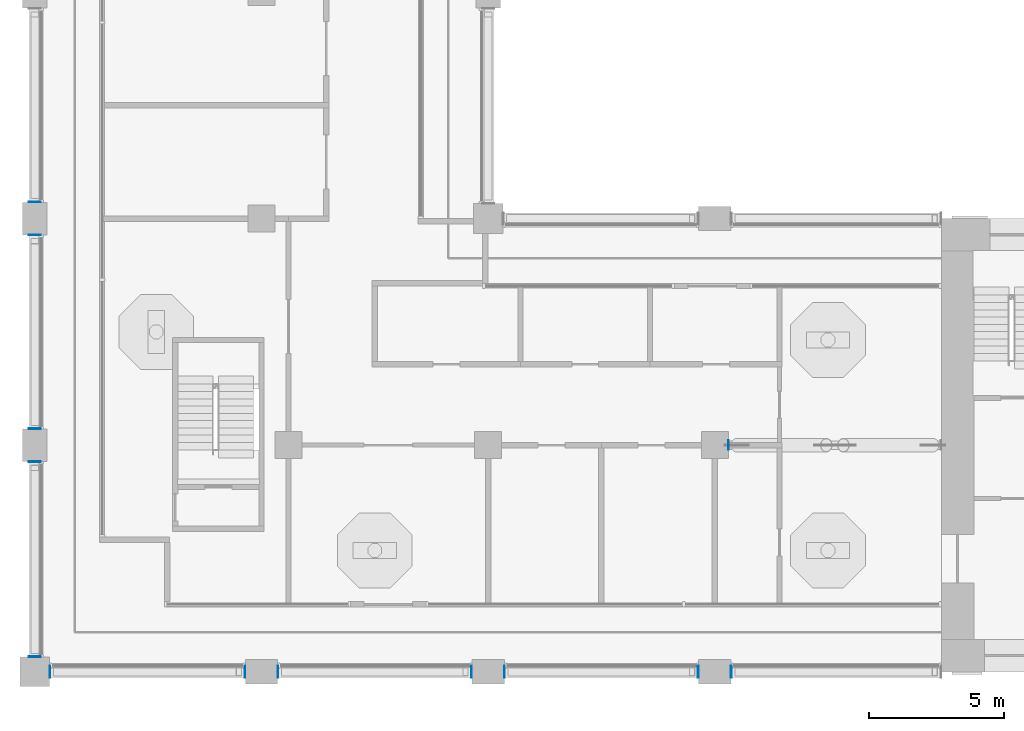
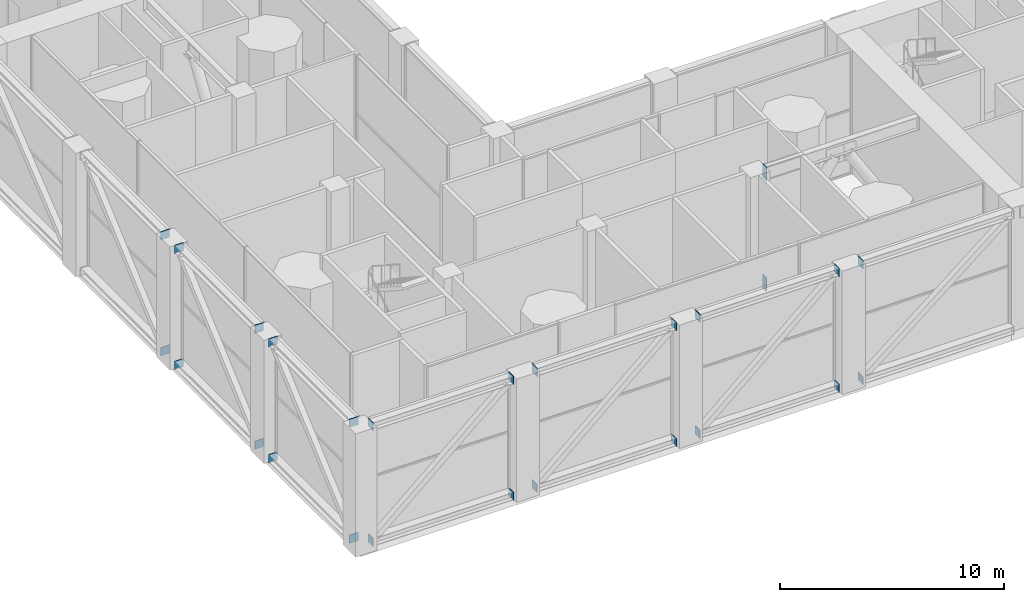
# One storey, part 12 of 20: 26 discrete accessories.
"""IFC4 building model written with IfcOpenShell, lengths in metres."""

from ifc_helpers import new_model, si_unit, direction, frame, origin, origin_2d, place, context, subcontext, project, spatial, rectangle, extrude, element, save


model = new_model("IFC4")

# Units and contexts
model_context = context("Model", 3, precision=1e-05, world=origin(), true_north=direction((0.0, 1.0)))
body_context = subcontext(model_context, "Body", "Model", "MODEL_VIEW")
ifc_project = project(units=[si_unit("LENGTHUNIT", "METRE"), si_unit("AREAUNIT", "SQUARE_METRE"), si_unit("VOLUMEUNIT", "CUBIC_METRE"), si_unit("PLANEANGLEUNIT", "RADIAN"), si_unit("MASSUNIT", "GRAM", prefix="KILO")], contexts=[model_context])

# Site, building, storey
site_placement = place(None, origin())
site = spatial("IfcSite", under=ifc_project, at=site_placement, CompositionType="ELEMENT")
building_placement = place(site_placement, origin())
building = spatial("IfcBuilding", under=site, at=building_placement, Name="Vermilion Gate Residences", CompositionType="ELEMENT")
storey_placement = place(building_placement, frame((0.0, 0.0, 207.199951171875)))
storey = spatial("IfcBuildingStorey", under=building, at=storey_placement, Name="L54", CompositionType="ELEMENT", Elevation=207.199951171875)

# Discrete accessories
for number, where, z_axis, x_axis, name in (
    (1, (8.96240234375, 8.39990234375, -0.02490234375), (0.0, 0.0, 1.0), (1.0, 0.0, 0.0), "End plate B54BELT37B 1"),
    (2, (16.1875, 8.39990234375, -0.02490234375), (0.0, 0.0, 1.0), (1.0, 0.0, 0.0), "End plate B54BELT37B 2"),
    (3, (8.96240234375, 8.39990234375, 6.294921875), (0.0, 0.0, 1.0), (1.0, 0.0, 0.0), "End plate B54BELT37T 1"),
    (4, (16.1875, 8.39990234375, 6.294921875), (0.0, 0.0, 1.0), (1.0, 0.0, 0.0), "End plate B54BELT37T 2"),
):
    element("IfcDiscreteAccessory", number, at=place(storey_placement, frame(where, z_axis=z_axis, x_axis=x_axis)), inside=storey, Name=name, ObjectType="END PLATE", PredefinedType="USERDEFINED", context=body_context, shape_type="SweptSolid", body=[
        extrude(rectangle(XDim=0.02490234375, YDim=0.449951171875, at=origin_2d()), origin(), (0.0, 0.0, 1.0), 0.449951171875),
    ])
for number, where, z_axis, x_axis, name in (
    (5, (8.39990234375, 8.96240234375, -0.02490234375), (0.0, 0.0, 1.0), (1.0, 0.0, 0.0), "End plate B54BELT38B 1"),
    (6, (8.39990234375, 16.1875, -0.02490234375), (0.0, 0.0, 1.0), (1.0, 0.0, 0.0), "End plate B54BELT38B 2"),
    (7, (8.39990234375, 8.96240234375, 6.294921875), (0.0, 0.0, 1.0), (1.0, 0.0, 0.0), "End plate B54BELT38T 1"),
    (8, (8.39990234375, 16.1875, 6.294921875), (0.0, 0.0, 1.0), (1.0, 0.0, 0.0), "End plate B54BELT38T 2"),
    (9, (8.39990234375, 17.41259765625, -0.02490234375), (0.0, 0.0, 1.0), (1.0, 0.0, 0.0), "End plate B54BELT39B 1"),
    (10, (8.39990234375, 24.58740234375, -0.02490234375), (0.0, 0.0, 1.0), (1.0, 0.0, 0.0), "End plate B54BELT39B 2"),
    (11, (8.39990234375, 17.41259765625, 6.294921875), (0.0, 0.0, 1.0), (1.0, 0.0, 0.0), "End plate B54BELT39T 1"),
    (12, (8.39990234375, 24.58740234375, 6.294921875), (0.0, 0.0, 1.0), (1.0, 0.0, 0.0), "End plate B54BELT39T 2"),
    (13, (8.39990234375, 25.8125, -0.02490234375), (0.0, 0.0, 1.0), (1.0, 0.0, 0.0), "End plate B54BELT40B 1"),
    (14, (8.39990234375, 25.8125, 6.294921875), (0.0, 0.0, 1.0), (1.0, 0.0, 0.0), "End plate B54BELT40T 1"),
):
    element("IfcDiscreteAccessory", number, at=place(storey_placement, frame(where, z_axis=z_axis, x_axis=x_axis)), inside=storey, Name=name, ObjectType="END PLATE", PredefinedType="USERDEFINED", context=body_context, shape_type="SweptSolid", body=[
        extrude(rectangle(XDim=0.449951171875, YDim=0.02490234375, at=origin_2d()), origin(), (0.0, 0.0, 1.0), 0.449951171875),
    ])
for number, where, z_axis, x_axis, name in (
    (15, (17.41259765625, 8.39990234375, -0.02490234375), (0.0, 0.0, 1.0), (1.0, 0.0, 0.0), "End plate B54BELT42B 1"),
    (16, (24.58740234375, 8.39990234375, -0.02490234375), (0.0, 0.0, 1.0), (1.0, 0.0, 0.0), "End plate B54BELT42B 2"),
    (17, (17.41259765625, 8.39990234375, 6.294921875), (0.0, 0.0, 1.0), (1.0, 0.0, 0.0), "End plate B54BELT42T 1"),
    (18, (24.58740234375, 8.39990234375, 6.294921875), (0.0, 0.0, 1.0), (1.0, 0.0, 0.0), "End plate B54BELT42T 2"),
    (19, (25.8125, 8.39990234375, -0.02490234375), (0.0, 0.0, 1.0), (1.0, 0.0, 0.0), "End plate B54BELT45B 1"),
    (20, (32.987548828125, 8.39990234375, -0.02490234375), (0.0, 0.0, 1.0), (1.0, 0.0, 0.0), "End plate B54BELT45B 2"),
    (21, (25.8125, 8.39990234375, 6.294921875), (0.0, 0.0, 1.0), (1.0, 0.0, 0.0), "End plate B54BELT45T 1"),
    (22, (32.987548828125, 8.39990234375, 6.294921875), (0.0, 0.0, 1.0), (1.0, 0.0, 0.0), "End plate B54BELT45T 2"),
    (23, (34.21240234375, 8.39990234375, -0.02490234375), (0.0, 0.0, 1.0), (1.0, 0.0, 0.0), "End plate B54BELT47B 1"),
    (24, (34.21240234375, 8.39990234375, 6.294921875), (0.0, 0.0, 1.0), (1.0, 0.0, 0.0), "End plate B54BELT47T 1"),
):
    element("IfcDiscreteAccessory", number, at=place(storey_placement, frame(where, z_axis=z_axis, x_axis=x_axis)), inside=storey, Name=name, ObjectType="END PLATE", PredefinedType="USERDEFINED", context=body_context, shape_type="SweptSolid", body=[
        extrude(rectangle(XDim=0.02490234375, YDim=0.449951171875, at=origin_2d()), origin(), (0.0, 0.0, 1.0), 0.449951171875),
    ])
for number, where, z_axis, x_axis, name in (
    (25, (34.112548828125, 16.800048828125, -0.02490234375), (0.0, 0.0, 1.0), (1.0, 0.0, 0.0), "End plate O54OUT8B 2"),
    (26, (34.112548828125, 16.800048828125, 5.9951171875), (0.0, 0.0, 1.0), (1.0, 0.0, 0.0), "End plate O54OUT8T 2"),
):
    element("IfcDiscreteAccessory", number, at=place(storey_placement, frame(where, z_axis=z_axis, x_axis=x_axis)), inside=storey, Name=name, ObjectType="END PLATE", PredefinedType="USERDEFINED", context=body_context, shape_type="SweptSolid", body=[
        extrude(rectangle(XDim=0.02490234375, YDim=0.35009765625, at=origin_2d()), origin(), (0.0, 0.0, 1.0), 0.75),
    ])

save(model, "model.ifc")
